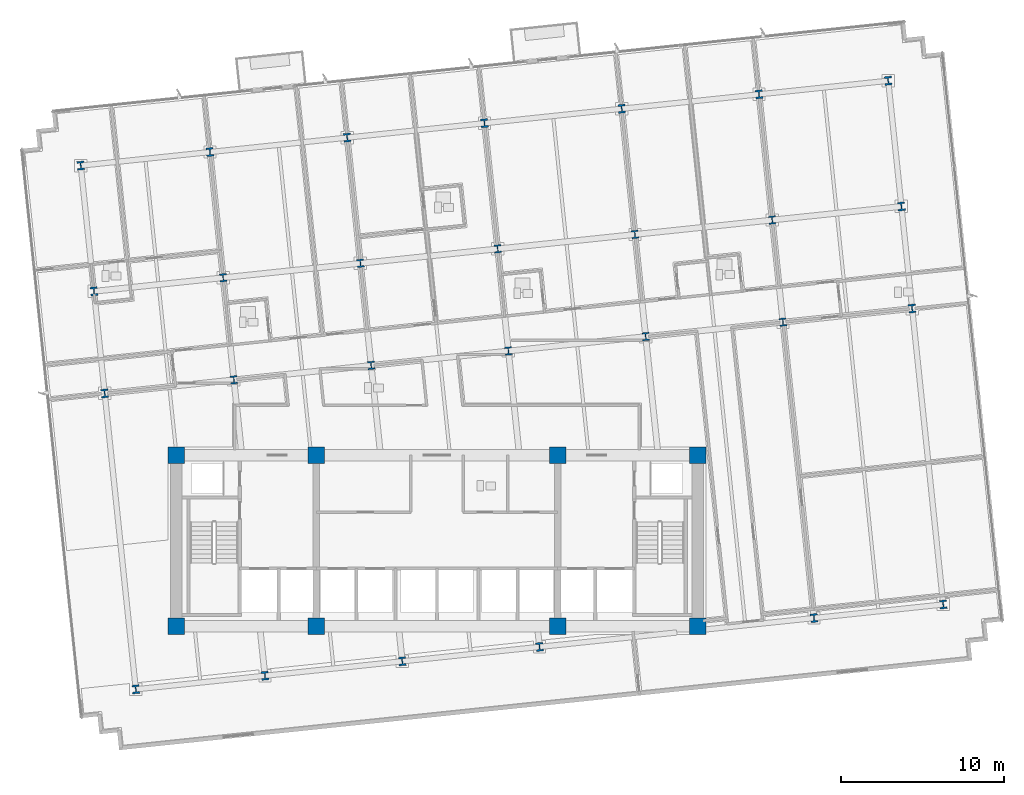
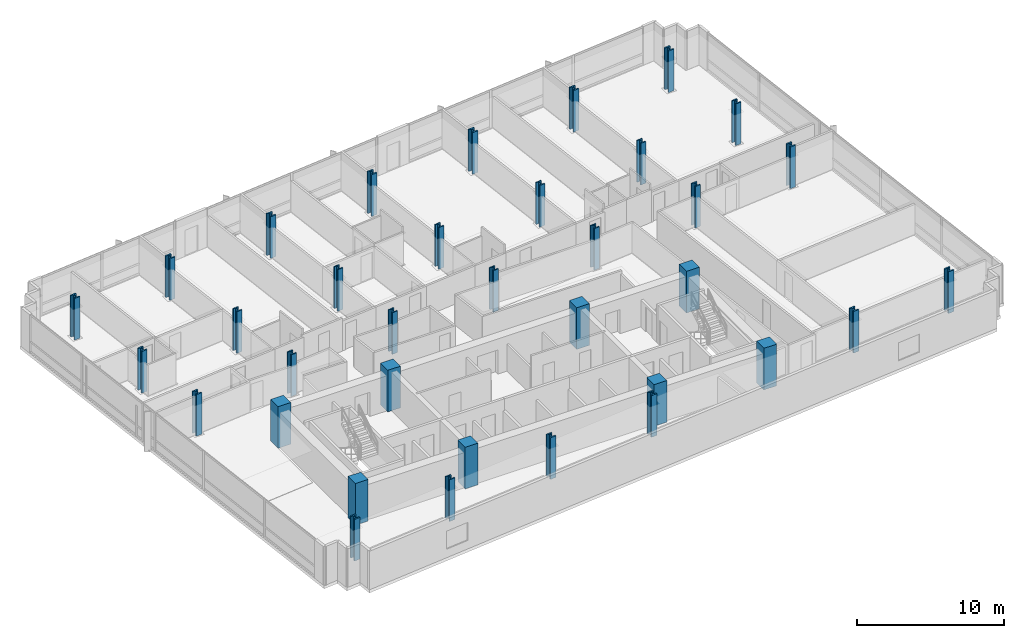
# One storey, part 1 of 19: 35 columns.
"""IFC4 building model written with IfcOpenShell, lengths in metres."""

from ifc_helpers import new_model, si_unit, direction, frame, origin, origin_2d, place, context, subcontext, project, spatial, rectangle, i_section, extrude, material, material_profile, profile_set, type_object, element, save


model = new_model("IFC4")

# Units and contexts
model_context = context("Model", 3, precision=1e-05, world=origin(), true_north=direction((0.0, 1.0)))
body_context = subcontext(model_context, "Body", "Model", "MODEL_VIEW")
ifc_project = project(units=[si_unit("LENGTHUNIT", "METRE"), si_unit("AREAUNIT", "SQUARE_METRE"), si_unit("VOLUMEUNIT", "CUBIC_METRE"), si_unit("PLANEANGLEUNIT", "RADIAN"), si_unit("MASSUNIT", "GRAM", prefix="KILO")], contexts=[model_context])

# Site, building, storey
site_placement = place(None, origin())
site = spatial("IfcSite", under=ifc_project, at=site_placement, CompositionType="ELEMENT")
building_placement = place(site_placement, origin())
building = spatial("IfcBuilding", under=site, at=building_placement, Name="Solmavex Isthmus Hotel", CompositionType="ELEMENT")
storey_placement = place(building_placement, frame((0.0, 0.0, 83.550048828125)))
storey = spatial("IfcBuildingStorey", under=building, at=storey_placement, Name="L22", CompositionType="ELEMENT", Elevation=83.550048828125)

# Columns
ifc_material_1 = material(Name="Concrete C60/75", Category="concrete")
ifc_material_profile_1 = material_profile(ifc_material_1, rectangle(XDim=1.0, YDim=1.0, at=origin_2d()), Name="RC1000X1000")
ifc_profile_set_1 = profile_set([ifc_material_profile_1], Name="Concrete C60/75")
column_type_1 = type_object("IfcColumnType", Name="COL-CC-1000", PredefinedType="COLUMN", material=ifc_profile_set_1)
for number, where, z_axis, x_axis, name in (
    (1, (-16.0, -13.0, 0.0), (0.0, 0.0, 1.0), (1.0, 0.0, 0.0), "Core Pilaster CC-SW L22"),
    (2, (-7.39990234375, -13.0, 0.0), (0.0, 0.0, 1.0), (1.0, 0.0, 0.0), "Core Pilaster CC-S1 L22"),
    (3, (7.39990234375, -13.0, 0.0), (0.0, 0.0, 1.0), (1.0, 0.0, 0.0), "Core Pilaster CC-S2 L22"),
    (4, (16.0, -13.0, 0.0), (0.0, 0.0, 1.0), (1.0, 0.0, 0.0), "Core Pilaster CC-SE L22"),
    (5, (-16.0, -2.5, 0.0), (0.0, 0.0, 1.0), (1.0, 0.0, 0.0), "Core Pilaster CC-NW L22"),
    (6, (-7.39990234375, -2.5, 0.0), (0.0, 0.0, 1.0), (1.0, 0.0, 0.0), "Core Pilaster CC-N1 L22"),
    (7, (7.39990234375, -2.5, 0.0), (0.0, 0.0, 1.0), (1.0, 0.0, 0.0), "Core Pilaster CC-N2 L22"),
    (8, (16.0, -2.5, 0.0), (0.0, 0.0, 1.0), (1.0, 0.0, 0.0), "Core Pilaster CC-NE L22"),
):
    element("IfcColumn", number, at=place(storey_placement, frame(where, z_axis=z_axis, x_axis=x_axis)), inside=storey, type_object=column_type_1, Name=name, PredefinedType="COLUMN", context=body_context, shape_type="SweptSolid", body=[
        extrude(rectangle(XDim=1.0, YDim=1.0, at=origin_2d()), origin(), (0.0, 0.0, 1.0), 3.449951171875),
    ])
ifc_material_2 = material(Name="Steel ASTM A913 Grade 65", Category="steel")
ifc_material_profile_2 = material_profile(ifc_material_2, i_section(OverallWidth=0.43212890625, OverallDepth=0.497802734375, WebThickness=0.0556640625, FlangeThickness=0.0888671875, FilletRadius=0.030517578125, at=origin_2d()), Name="W14X500")
ifc_profile_set_2 = profile_set([ifc_material_profile_2], Name="Steel ASTM A913 Grade 65")
column_type_2 = type_object("IfcColumnType", Name="COL-SC-W14X500", PredefinedType="COLUMN", material=ifc_profile_set_2)
for number, where, z_axis, x_axis, name in (
    (9, (-12.458740234375, 2.11865234375, 0.0), (0.0, 0.0, 1.0), (0.994521895368, 0.104528463268, 0.0), "Tower Column B2-U2V2 L22"),
    (10, (-13.1171875, 8.382080078125, 0.0), (0.0, 0.0, 1.0), (0.994521895368, 0.104528463268, 0.0), "Tower Column B2-U2V3 L22"),
    (11, (-4.0390625, 3.003662109375, 0.0), (0.0, 0.0, 1.0), (0.994521895368, 0.104528463268, 0.0), "Tower Column B2-U3V2 L22"),
    (12, (-4.697509765625, 9.26708984375, 0.0), (0.0, 0.0, 1.0), (0.994521895368, 0.104528463268, 0.0), "Tower Column B2-U3V3 L22"),
    (13, (4.38037109375, 3.888427734375, 0.0), (0.0, 0.0, 1.0), (0.994521895368, 0.104528463268, 0.0), "Tower Column B2-U4V2 L22"),
    (14, (3.72216796875, 10.152099609375, 0.0), (0.0, 0.0, 1.0), (0.994521895368, 0.104528463268, 0.0), "Tower Column B2-U4V3 L22"),
    (15, (12.800048828125, 4.7734375, 0.0), (0.0, 0.0, 1.0), (0.994521895368, 0.104528463268, 0.0), "Tower Column B2-U5V2 L22"),
    (16, (12.141845703125, 11.036865234375, 0.0), (0.0, 0.0, 1.0), (0.994521895368, 0.104528463268, 0.0), "Tower Column B2-U5V3 L22"),
    (17, (21.2197265625, 5.658447265625, 0.0), (0.0, 0.0, 1.0), (0.994521895368, 0.104528463268, 0.0), "Tower Column B2-U6V2 L22"),
    (18, (20.5615234375, 11.921875, 0.0), (0.0, 0.0, 1.0), (0.994521895368, 0.104528463268, 0.0), "Tower Column B2-U6V3 L22"),
):
    element("IfcColumn", number, at=place(storey_placement, frame(where, z_axis=z_axis, x_axis=x_axis)), inside=storey, type_object=column_type_2, Name=name, PredefinedType="COLUMN", context=body_context, shape_type="SweptSolid", body=[
        extrude(i_section(OverallWidth=0.43212890625, OverallDepth=0.497802734375, WebThickness=0.0556640625, FlangeThickness=0.0888671875, FilletRadius=0.030517578125, at=origin_2d()), origin(), (0.0, 0.0, 1.0), 3.449951171875),
    ])
ifc_material_profile_3 = material_profile(ifc_material_2, i_section(OverallWidth=0.442138671875, OverallDepth=0.531494140625, WebThickness=0.06591796875, FlangeThickness=0.105712890625, FilletRadius=0.030517578125, at=origin_2d()), Name="W14X605")
ifc_profile_set_3 = profile_set([ifc_material_profile_3], Name="Steel ASTM A913 Grade 65")
column_type_3 = type_object("IfcColumnType", Name="COL-SC-W14X605", PredefinedType="COLUMN", material=ifc_profile_set_3)
for number, where, z_axis, x_axis, name in (
    (19, (-18.475341796875, -16.8642578125, 0.0), (0.0, 0.0, 1.0), (0.994521895368, 0.104528463268, 0.0), "Tower Column B2-U1V1 L22"),
    (20, (-20.383056640625, 1.28564453125, 0.0), (0.0, 0.0, 1.0), (0.994521895368, 0.104528463268, 0.0), "Tower Column B2-U1V2 L22"),
    (21, (-21.04150390625, 7.54931640625, 0.0), (0.0, 0.0, 1.0), (0.994521895368, 0.104528463268, 0.0), "Tower Column B2-U1V3 L22"),
    (22, (-21.851806640625, 15.2587890625, 0.0), (0.0, 0.0, 1.0), (0.994521895368, 0.104528463268, 0.0), "Tower Column B2-U1V4 L22"),
    (23, (-10.551025390625, -16.031494140625, 0.0), (0.0, 0.0, 1.0), (0.994521895368, 0.104528463268, 0.0), "Tower Column B2-U2V1 L22"),
    (24, (-13.927490234375, 16.091552734375, 0.0), (0.0, 0.0, 1.0), (0.994521895368, 0.104528463268, 0.0), "Tower Column B2-U2V4 L22"),
    (25, (-2.131591796875, -15.146484375, 0.0), (0.0, 0.0, 1.0), (0.994521895368, 0.104528463268, 0.0), "Tower Column B2-U3V1 L22"),
    (26, (-5.5078125, 16.9765625, 0.0), (0.0, 0.0, 1.0), (0.994521895368, 0.104528463268, 0.0), "Tower Column B2-U3V4 L22"),
    (27, (6.2880859375, -14.261474609375, 0.0), (0.0, 0.0, 1.0), (0.994521895368, 0.104528463268, 0.0), "Tower Column B2-U4V1 L22"),
    (28, (2.911865234375, 17.861572265625, 0.0), (0.0, 0.0, 1.0), (0.994521895368, 0.104528463268, 0.0), "Tower Column B2-U4V4 L22"),
    (29, (11.33154296875, 18.74658203125, 0.0), (0.0, 0.0, 1.0), (0.994521895368, 0.104528463268, 0.0), "Tower Column B2-U5V4 L22"),
    (30, (23.12744140625, -12.49169921875, 0.0), (0.0, 0.0, 1.0), (0.994521895368, 0.104528463268, 0.0), "Tower Column B2-U6V1 L22"),
    (31, (19.751220703125, 19.63134765625, 0.0), (0.0, 0.0, 1.0), (0.994521895368, 0.104528463268, 0.0), "Tower Column B2-U6V4 L22"),
    (32, (31.0517578125, -11.65869140625, 0.0), (0.0, 0.0, 1.0), (0.994521895368, 0.104528463268, 0.0), "Tower Column B2-U7V1 L22"),
    (33, (29.14404296875, 6.4912109375, 0.0), (0.0, 0.0, 1.0), (0.994521895368, 0.104528463268, 0.0), "Tower Column B2-U7V2 L22"),
    (34, (28.48583984375, 12.754638671875, 0.0), (0.0, 0.0, 1.0), (0.994521895368, 0.104528463268, 0.0), "Tower Column B2-U7V3 L22"),
    (35, (27.675537109375, 20.46435546875, 0.0), (0.0, 0.0, 1.0), (0.994521895368, 0.104528463268, 0.0), "Tower Column B2-U7V4 L22"),
):
    element("IfcColumn", number, at=place(storey_placement, frame(where, z_axis=z_axis, x_axis=x_axis)), inside=storey, type_object=column_type_3, Name=name, PredefinedType="COLUMN", context=body_context, shape_type="SweptSolid", body=[
        extrude(i_section(OverallWidth=0.442138671875, OverallDepth=0.531494140625, WebThickness=0.06591796875, FlangeThickness=0.105712890625, FilletRadius=0.030517578125, at=origin_2d()), origin(), (0.0, 0.0, 1.0), 3.449951171875),
    ])

save(model, "model.ifc")
